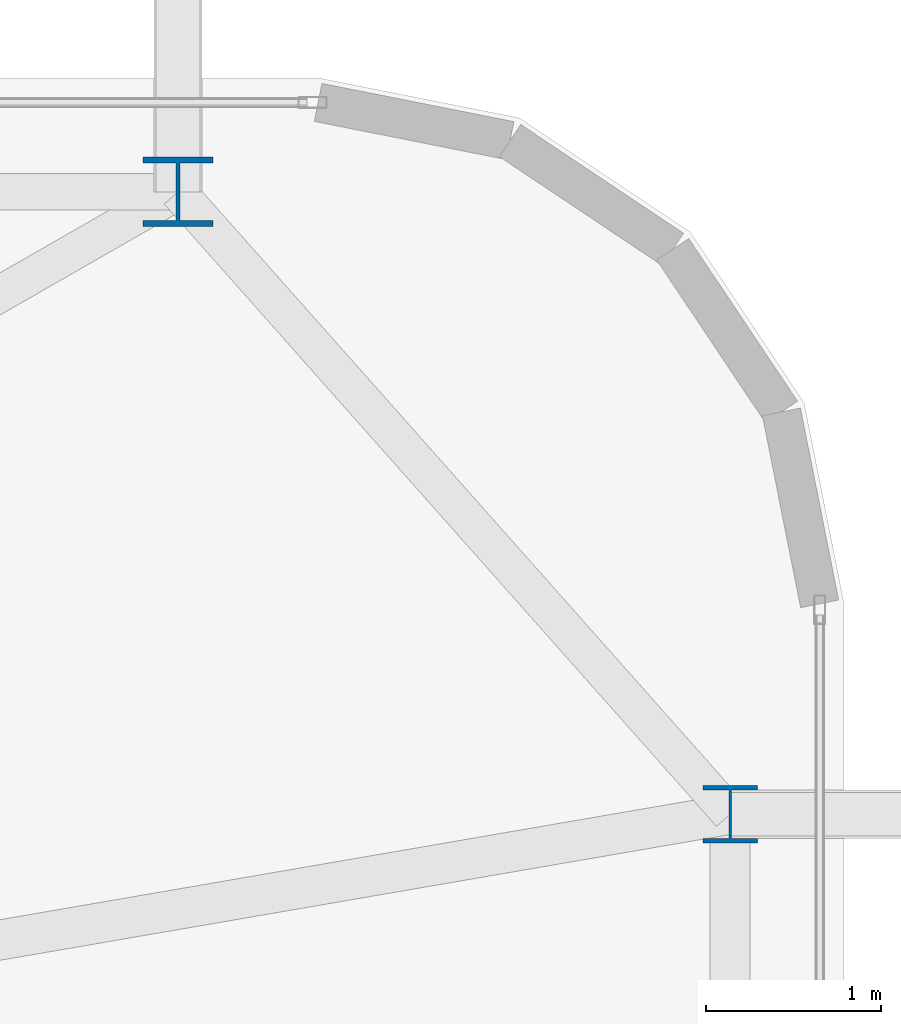
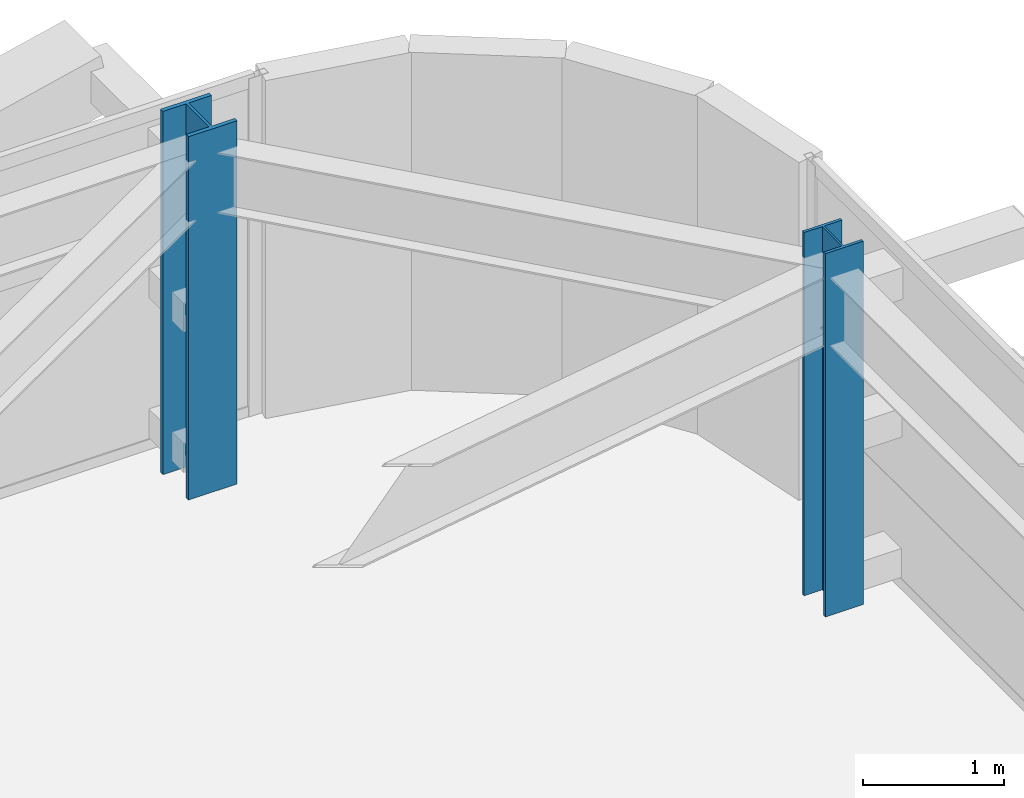
# One storey, part 4 of 59: 2 columns.
"""IFC4 building model written with IfcOpenShell, lengths in metres."""

from ifc_helpers import new_model, si_unit, direction, frame, origin, origin_2d, place, context, subcontext, project, spatial, i_section, extrude, source, transform, mapped, material, material_profile, profile_set, type_object, element, save


model = new_model("IFC4")

# Units and contexts
model_context = context("Model", 3, precision=1e-05, world=origin(), true_north=direction((0.0, 1.0)))
body_context = subcontext(model_context, "Body", "Model", "MODEL_VIEW")
ifc_project = project(units=[si_unit("LENGTHUNIT", "METRE"), si_unit("AREAUNIT", "SQUARE_METRE"), si_unit("VOLUMEUNIT", "CUBIC_METRE"), si_unit("PLANEANGLEUNIT", "RADIAN"), si_unit("MASSUNIT", "GRAM", prefix="KILO")], contexts=[model_context])

# Site, building, storey
site_placement = place(None, origin())
site = spatial("IfcSite", under=ifc_project, at=site_placement, CompositionType="ELEMENT")
building_placement = place(site_placement, origin())
building = spatial("IfcBuilding", under=site, at=building_placement, Name="Taldren Reach Tower", CompositionType="ELEMENT")
storey_placement = place(building_placement, frame((0.0, 0.0, 48.300048828125)))
storey = spatial("IfcBuildingStorey", under=building, at=storey_placement, Name="L14", CompositionType="ELEMENT", Elevation=48.300048828125)

# Columns
ifc_material = material(Name="Steel Gr 350 (350PLUS)", Category="steel")
ifc_material_profile_1 = material_profile(ifc_material, i_section(OverallWidth=0.39990234375, OverallDepth=0.39599609375, WebThickness=0.02197265625, FlangeThickness=0.033935546875, at=origin_2d()), Name="400WC270")
ifc_profile_set_1 = profile_set([ifc_material_profile_1], Name="Steel Gr 350 (350PLUS)")
column_type_1 = type_object("IfcColumnType", Name="COL-WC400", PredefinedType="COLUMN", material=ifc_profile_set_1)
shared_shape_1 = source(origin(), body_context, "Body", "SweptSolid", [
    extrude(i_section(OverallWidth=0.39990234375, OverallDepth=0.39599609375, WebThickness=0.02197265625, FlangeThickness=0.033935546875, at=origin_2d()), origin(), (0.0, 0.0, 1.0), 3.14990234375),
])
column_1_placement = place(storey_placement, frame((61.199951171875, 37.85009765625, 0.0), z_axis=(0.0, 0.0, 1.0), x_axis=(1.0, 0.0, 0.0)))
element("IfcColumn", 1, at=column_1_placement, inside=storey, type_object=column_type_1, Name="Block B1 perimeter column N6 L14", PredefinedType="COLUMN", context=body_context, shape_type="MappedRepresentation", body=[
    mapped(shared_shape_1, transform((0.0, 0.0, 0.0), scale=1.0)),
])
ifc_material_profile_2 = material_profile(ifc_material, i_section(OverallWidth=0.31103515625, OverallDepth=0.326904296875, WebThickness=0.015625, FlangeThickness=0.02490234375, at=origin_2d()), Name="310UC158")
ifc_profile_set_2 = profile_set([ifc_material_profile_2], Name="Steel Gr 350 (350PLUS)")
column_type_2 = type_object("IfcColumnType", Name="COL-UC310A", PredefinedType="COLUMN", material=ifc_profile_set_2)
shared_shape_2 = source(origin(), body_context, "Body", "SweptSolid", [
    extrude(i_section(OverallWidth=0.31103515625, OverallDepth=0.326904296875, WebThickness=0.015625, FlangeThickness=0.02490234375, at=origin_2d()), origin(), (0.0, 0.0, 1.0), 3.14990234375),
])
column_2_placement = place(storey_placement, frame((64.35009765625, 34.300048828125, 0.0), z_axis=(0.0, 0.0, 1.0), x_axis=(1.0, 0.0, 0.0)))
element("IfcColumn", 2, at=column_2_placement, inside=storey, type_object=column_type_2, Name="Block B1 perimeter column E3 L14", PredefinedType="COLUMN", context=body_context, shape_type="MappedRepresentation", body=[
    mapped(shared_shape_2, transform((0.0, 0.0, 0.0), scale=1.0)),
])

save(model, "model.ifc")
